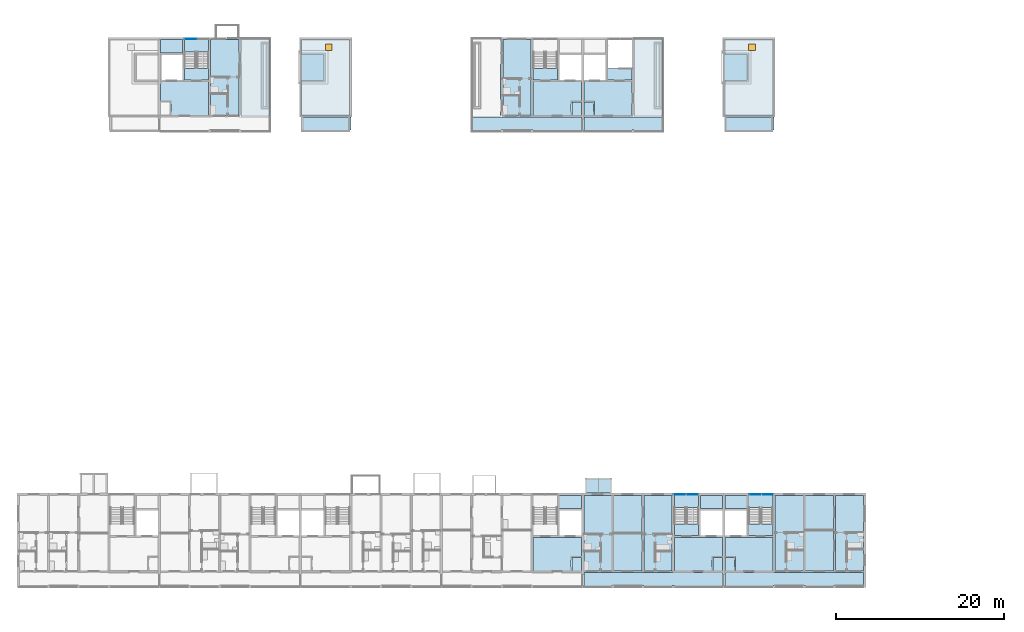
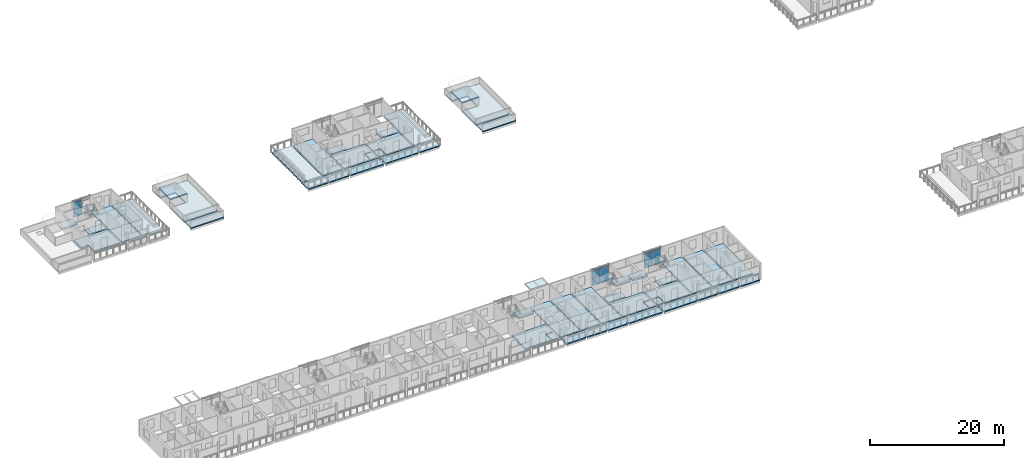
# One storey, part 31 of 87: 45 slabs, 10 plates, 2 doors, 2 openings, 6 elements without a shape of their own.
"""IFC4 building model written with IfcOpenShell, lengths in metres."""

from ifc_helpers import new_model, si_unit, direction, frame, origin, origin_2d, place, context, subcontext, project, spatial, polyline, rectangle, outline, extrude, material, layer, layer_set, type_object, element, fill, aggregate, save


model = new_model("IFC4")

# Units and contexts
model_context = context("Model", 3, precision=1e-05, world=origin(), true_north=direction((0.0, 1.0)))
body_context = subcontext(model_context, "Body", "Model", "MODEL_VIEW")
ifc_project = project(units=[si_unit("LENGTHUNIT", "METRE"), si_unit("AREAUNIT", "SQUARE_METRE"), si_unit("VOLUMEUNIT", "CUBIC_METRE"), si_unit("PLANEANGLEUNIT", "RADIAN"), si_unit("MASSUNIT", "GRAM", prefix="KILO")], contexts=[model_context])

# Site, building, storey
site_placement = place(None, origin())
site = spatial("IfcSite", under=ifc_project, at=site_placement, CompositionType="ELEMENT")
building_placement = place(site_placement, origin())
building = spatial("IfcBuilding", under=site, at=building_placement, Name="Ridgestep Commons", CompositionType="ELEMENT")
storey_placement = place(building_placement, frame((0.0, 0.0, 27.0)))
storey = spatial("IfcBuildingStorey", under=building, at=storey_placement, Name="L09", CompositionType="ELEMENT", Elevation=27.0)

# Slabs
ifc_material_1 = material(Name="Precast concrete C40/50", Category="concrete")
ifc_layer_1 = layer(ifc_material_1, 0.199951171875)
ifc_layer_set_1 = layer_set([ifc_layer_1], Name="Gallery roof slab 200")
slab_type_1 = type_object("IfcSlabType", Name="Gallery roof slab 200", PredefinedType="ROOF", material=ifc_layer_set_1)
slab_1_placement = place(storey_placement, frame((0.0, 0.0, -0.199951171875)))
element("IfcSlab", 1, at=slab_1_placement, inside=storey, type_object=slab_type_1, Name="Gallery slab B3 L09", PredefinedType="ROOF", context=body_context, shape_type="SweptSolid", body=[
    extrude(outline(polyline([(45.75, 66.0), (51.47509765625, 66.0), (51.47509765625, 66.25), (51.60009765625, 66.25), (51.60009765625, 67.800048828125), (45.75, 67.800048828125), (45.75, 66.0)])), origin(), (0.0, 0.0, 1.0), 0.199951171875),
])
slab_2_placement = place(storey_placement, frame((0.0, 0.0, -0.199951171875)))
element("IfcSlab", 2, at=slab_2_placement, inside=storey, type_object=slab_type_1, Name="Gallery slab B6 L09", PredefinedType="ROOF", context=body_context, shape_type="SweptSolid", body=[
    extrude(outline(polyline([(96.14990234375, 66.0), (101.875, 66.0), (101.875, 66.25), (102.0, 66.25), (102.0, 67.800048828125), (96.14990234375, 67.800048828125), (96.14990234375, 66.0)])), origin(), (0.0, 0.0, 1.0), 0.199951171875),
])
ifc_material_2 = material(Name="Precast concrete C40/50", Category="concrete")
ifc_layer_2 = layer(ifc_material_2, 0.199951171875)
ifc_layer_set_2 = layer_set([ifc_layer_2], Name="Gallery slab 200")
slab_type_2 = type_object("IfcSlabType", Name="Gallery slab 200", PredefinedType="FLOOR", material=ifc_layer_set_2)
slab_3_placement = place(storey_placement, frame((0.0, 0.0, -0.199951171875)))
element("IfcSlab", 3, at=slab_3_placement, inside=storey, type_object=slab_type_2, Name="Gallery slab A5 L09", PredefinedType="FLOOR", context=body_context, shape_type="SweptSolid", body=[
    extrude(outline(polyline([(95.85009765625, 13.550048828125), (79.35009765625, 13.550048828125), (79.35009765625, 11.75), (82.675048828125, 11.75), (82.675048828125, 12.0), (82.925048828125, 12.0), (82.925048828125, 11.75), (86.27490234375, 11.75), (86.27490234375, 12.0), (86.52490234375, 12.0), (86.52490234375, 11.75), (89.875, 11.75), (89.875, 12.0), (90.125, 12.0), (90.125, 11.75), (95.85009765625, 11.75), (95.85009765625, 13.550048828125)])), origin(), (0.0, 0.0, 1.0), 0.199951171875),
])
slab_4_placement = place(storey_placement, frame((0.0, 0.0, -0.199951171875)))
element("IfcSlab", 4, at=slab_4_placement, inside=storey, type_object=slab_type_2, Name="Gallery slab A6 L09", PredefinedType="FLOOR", context=body_context, shape_type="SweptSolid", body=[
    extrude(outline(polyline([(112.64990234375, 13.550048828125), (96.14990234375, 13.550048828125), (96.14990234375, 11.75), (101.875, 11.75), (101.875, 12.0), (102.125, 12.0), (102.125, 11.75), (105.47509765625, 11.75), (105.47509765625, 12.0), (105.72509765625, 12.0), (105.72509765625, 11.75), (109.074951171875, 11.75), (109.074951171875, 12.0), (109.324951171875, 12.0), (109.324951171875, 11.75), (112.64990234375, 11.75), (112.64990234375, 13.550048828125)])), origin(), (0.0, 0.0, 1.0), 0.199951171875),
])
slab_5_placement = place(storey_placement, frame((0.0, 0.0, -0.199951171875)))
element("IfcSlab", 5, at=slab_5_placement, inside=storey, type_object=slab_type_2, Name="Gallery slab B4 L09", PredefinedType="FLOOR", context=body_context, shape_type="SweptSolid", body=[
    extrude(outline(polyline([(79.050048828125, 66.0), (79.050048828125, 67.800048828125), (66.0, 67.800048828125), (66.0, 66.25), (66.125, 66.25), (66.125, 66.0), (69.47509765625, 66.0), (69.47509765625, 66.25), (69.72509765625, 66.25), (69.72509765625, 66.0), (73.074951171875, 66.0), (73.074951171875, 66.25), (73.324951171875, 66.25), (73.324951171875, 66.0), (79.050048828125, 66.0)])), origin(), (0.0, 0.0, 1.0), 0.199951171875),
])
slab_6_placement = place(storey_placement, frame((0.0, 0.0, -0.199951171875)))
element("IfcSlab", 6, at=slab_6_placement, inside=storey, type_object=slab_type_2, Name="Gallery slab B5 L09", PredefinedType="FLOOR", context=body_context, shape_type="SweptSolid", body=[
    extrude(outline(polyline([(79.35009765625, 67.800048828125), (79.35009765625, 66.0), (85.074951171875, 66.0), (85.074951171875, 66.25), (85.324951171875, 66.25), (85.324951171875, 66.0), (88.675048828125, 66.0), (88.675048828125, 66.25), (88.800048828125, 66.25), (88.800048828125, 67.800048828125), (79.35009765625, 67.800048828125)])), origin(), (0.0, 0.0, 1.0), 0.199951171875),
])

# Curtain wall, plates
ifc_material_3 = material(Name="Aluminium 6063-T6 and glass", Category="aluminium")
curtain_wall_type = type_object("IfcCurtainWallType", Name="Curtain wall stair strip", PredefinedType="NOTDEFINED", material=ifc_material_3)
curtain_wall_1_placement = place(storey_placement, origin())
curtain_wall_1 = element("IfcCurtainWall", 7, at=curtain_wall_1_placement, inside=storey, type_object=curtain_wall_type, Name="Curtain wall A5C level 09", PredefinedType="NOTDEFINED")
ifc_material_4 = material(Name="Glass laminated 6/16/6 low-emissivity", Category="glass")
ifc_layer_3 = layer(ifc_material_4, 0.028076171875)
ifc_layer_set_3 = layer_set([ifc_layer_3], Name="Glazing panel 28")
plate_type_1 = type_object("IfcPlateType", Name="Glazing panel 28", PredefinedType="CURTAIN_PANEL", material=ifc_layer_set_3)
plate_1_placement = place(storey_placement, frame((90.771240234375, 22.830078125, 0.06005859375), z_axis=(0.0, 0.0, 1.0), x_axis=(1.0, 0.0, 0.0)))
plate_1 = element("IfcPlate", 8, at=plate_1_placement, type_object=plate_type_1, Name="CW1 panel 1.1", PredefinedType="CURTAIN_PANEL", context=body_context, shape_type="SweptSolid", body=[
    extrude(rectangle(XDim=1.422607421875, YDim=0.028076171875, at=origin_2d()), origin(), (0.0, 0.0, 1.0), 2.5),
])
plate_2_placement = place(storey_placement, frame((92.253662109375, 22.830078125, 0.06005859375), z_axis=(0.0, 0.0, 1.0), x_axis=(1.0, 0.0, 0.0)))
plate_2 = element("IfcPlate", 9, at=plate_2_placement, type_object=plate_type_1, Name="CW1 panel 2.1", PredefinedType="CURTAIN_PANEL", context=body_context, shape_type="SweptSolid", body=[
    extrude(rectangle(XDim=1.422607421875, YDim=0.028076171875, at=origin_2d()), origin(), (0.0, 0.0, 1.0), 2.5),
])

curtain_wall_2_placement = place(storey_placement, origin())
curtain_wall_2 = element("IfcCurtainWall", 10, at=curtain_wall_2_placement, inside=storey, type_object=curtain_wall_type, Name="Curtain wall A6C level 09", PredefinedType="NOTDEFINED")
plate_3_placement = place(storey_placement, frame((99.746337890625, 22.830078125, 0.06005859375), z_axis=(0.0, 0.0, 1.0), x_axis=(1.0, 0.0, 0.0)))
plate_3 = element("IfcPlate", 11, at=plate_3_placement, type_object=plate_type_1, Name="CW1 panel 1.1", PredefinedType="CURTAIN_PANEL", context=body_context, shape_type="SweptSolid", body=[
    extrude(rectangle(XDim=1.422607421875, YDim=0.028076171875, at=origin_2d()), origin(), (0.0, 0.0, 1.0), 2.5),
])
plate_4_placement = place(storey_placement, frame((101.228759765625, 22.830078125, 0.06005859375), z_axis=(0.0, 0.0, 1.0), x_axis=(1.0, 0.0, 0.0)))
plate_4 = element("IfcPlate", 12, at=plate_4_placement, type_object=plate_type_1, Name="CW1 panel 2.1", PredefinedType="CURTAIN_PANEL", context=body_context, shape_type="SweptSolid", body=[
    extrude(rectangle(XDim=1.422607421875, YDim=0.028076171875, at=origin_2d()), origin(), (0.0, 0.0, 1.0), 2.5),
])

# Curtain wall, plate
curtain_wall_3_placement = place(storey_placement, origin())
curtain_wall_3 = element("IfcCurtainWall", 13, at=curtain_wall_3_placement, inside=storey, type_object=curtain_wall_type, Name="Curtain wall B2C level 09", PredefinedType="NOTDEFINED")
plate_5_placement = place(storey_placement, frame((32.546142578125, 77.080078125, 0.06005859375), z_axis=(0.0, 0.0, 1.0), x_axis=(1.0, 0.0, 0.0)))
plate_5 = element("IfcPlate", 14, at=plate_5_placement, type_object=plate_type_1, Name="CW1 panel 1.1", PredefinedType="CURTAIN_PANEL", context=body_context, shape_type="SweptSolid", body=[
    extrude(rectangle(XDim=1.422607421875, YDim=0.028076171875, at=origin_2d()), origin(), (0.0, 0.0, 1.0), 2.5),
])

# Slabs
ifc_material_5 = material(Name="Precast concrete C50/60", Category="concrete")
ifc_layer_4 = layer(ifc_material_5, 0.199951171875)
ifc_layer_set_4 = layer_set([ifc_layer_4], Name="Hollow-core plank 200")
slab_type_3 = type_object("IfcSlabType", Name="Hollow-core plank 200", PredefinedType="FLOOR", material=ifc_layer_set_4)
slab_7_placement = place(storey_placement, frame((0.0, 0.0, -0.199951171875)))
element("IfcSlab", 15, at=slab_7_placement, inside=storey, type_object=slab_type_3, Name="Floor plank A5T1 L09", PredefinedType="FLOOR", context=body_context, shape_type="SweptSolid", body=[
    extrude(outline(polyline([(82.699951171875, 13.75), (82.699951171875, 22.75), (79.35009765625, 22.75), (79.35009765625, 13.75), (82.699951171875, 13.75)])), origin(), (0.0, 0.0, 1.0), 0.199951171875),
])
slab_8_placement = place(storey_placement, frame((0.0, 0.0, -0.199951171875)))
element("IfcSlab", 16, at=slab_8_placement, inside=storey, type_object=slab_type_3, Name="Floor plank A5T2 L09", PredefinedType="FLOOR", context=body_context, shape_type="SweptSolid", body=[
    extrude(outline(polyline([(86.300048828125, 13.75), (86.300048828125, 22.75), (82.89990234375, 22.75), (82.89990234375, 13.75), (86.300048828125, 13.75)])), origin(), (0.0, 0.0, 1.0), 0.199951171875),
])
slab_9_placement = place(storey_placement, frame((0.0, 0.0, -0.199951171875)))
element("IfcSlab", 17, at=slab_9_placement, inside=storey, type_object=slab_type_3, Name="Floor plank A5T3 L09", PredefinedType="FLOOR", context=body_context, shape_type="SweptSolid", body=[
    extrude(outline(polyline([(89.875, 13.75), (89.875, 22.75), (86.5, 22.75), (86.5, 13.75), (89.875, 13.75)])), origin(), (0.0, 0.0, 1.0), 0.199951171875),
])
slab_10_placement = place(storey_placement, frame((0.0, 0.0, -0.199951171875)))
element("IfcSlab", 18, at=slab_10_placement, inside=storey, type_object=slab_type_3, Name="Floor plank A6T3 L09", PredefinedType="FLOOR", context=body_context, shape_type="SweptSolid", body=[
    extrude(outline(polyline([(105.5, 13.75), (105.5, 22.75), (102.125, 22.75), (102.125, 13.75), (105.5, 13.75)])), origin(), (0.0, 0.0, 1.0), 0.199951171875),
])
slab_11_placement = place(storey_placement, frame((0.0, 0.0, -0.199951171875)))
element("IfcSlab", 19, at=slab_11_placement, inside=storey, type_object=slab_type_3, Name="Floor plank A6T2 L09", PredefinedType="FLOOR", context=body_context, shape_type="SweptSolid", body=[
    extrude(outline(polyline([(109.10009765625, 13.75), (109.10009765625, 22.75), (105.699951171875, 22.75), (105.699951171875, 13.75), (109.10009765625, 13.75)])), origin(), (0.0, 0.0, 1.0), 0.199951171875),
])
slab_12_placement = place(storey_placement, frame((0.0, 0.0, -0.199951171875)))
element("IfcSlab", 20, at=slab_12_placement, inside=storey, type_object=slab_type_3, Name="Floor plank A6T1 L09", PredefinedType="FLOOR", context=body_context, shape_type="SweptSolid", body=[
    extrude(outline(polyline([(112.64990234375, 13.75), (112.64990234375, 22.75), (109.300048828125, 22.75), (109.300048828125, 13.75), (112.64990234375, 13.75)])), origin(), (0.0, 0.0, 1.0), 0.199951171875),
])
slab_13_placement = place(storey_placement, frame((0.0, 0.0, -0.199951171875)))
element("IfcSlab", 21, at=slab_13_placement, inside=storey, type_object=slab_type_3, Name="Floor plank B2T3 L09", PredefinedType="FLOOR", context=body_context, shape_type="SweptSolid", body=[
    extrude(outline(polyline([(38.300048828125, 68.0), (38.300048828125, 77.0), (34.925048828125, 77.0), (34.925048828125, 68.0), (38.300048828125, 68.0)])), origin(), (0.0, 0.0, 1.0), 0.199951171875),
])
slab_14_placement = place(storey_placement, frame((0.0, 0.0, -0.199951171875)))
element("IfcSlab", 22, at=slab_14_placement, inside=storey, type_object=slab_type_3, Name="Floor plank B4T3 L09", PredefinedType="FLOOR", context=body_context, shape_type="SweptSolid", body=[
    extrude(outline(polyline([(73.074951171875, 68.0), (73.074951171875, 77.0), (69.699951171875, 77.0), (69.699951171875, 68.0), (73.074951171875, 68.0)])), origin(), (0.0, 0.0, 1.0), 0.199951171875),
])
ifc_material_6 = material(Name="Precast concrete C50/60", Category="concrete")
ifc_layer_5 = layer(ifc_material_6, 0.25)
ifc_layer_set_5 = layer_set([ifc_layer_5], Name="Hollow-core plank 250")
slab_type_4 = type_object("IfcSlabType", Name="Hollow-core plank 250", PredefinedType="FLOOR", material=ifc_layer_set_5)
slab_15_placement = place(storey_placement, frame((0.0, 0.0, -0.25)))
element("IfcSlab", 23, at=slab_15_placement, inside=storey, type_object=slab_type_4, Name="Floor plank A4C L09", PredefinedType="FLOOR", context=body_context, shape_type="SweptSolid", body=[
    extrude(outline(polyline([(77.919921875, 15.469970703125), (79.050048828125, 15.469970703125), (79.050048828125, 17.75), (73.324951171875, 17.75), (73.324951171875, 13.75), (77.800048828125, 13.75), (77.800048828125, 15.469970703125), (77.919921875, 15.469970703125)])), origin(), (0.0, 0.0, 1.0), 0.25),
])
slab_16_placement = place(storey_placement, frame((0.0, 0.0, -0.25)))
element("IfcSlab", 24, at=slab_16_placement, inside=storey, type_object=slab_type_4, Name="Floor plank A4C L09", PredefinedType="FLOOR", context=body_context, shape_type="SweptSolid", body=[
    extrude(outline(polyline([(79.050048828125, 21.14990234375), (79.050048828125, 22.75), (76.425048828125, 22.75), (76.425048828125, 21.14990234375), (79.050048828125, 21.14990234375)])), origin(), (0.0, 0.0, 1.0), 0.25),
])
slab_17_placement = place(storey_placement, frame((0.0, 0.0, -0.25)))
element("IfcSlab", 25, at=slab_17_placement, inside=storey, type_object=slab_type_4, Name="Floor plank A4C L09", PredefinedType="FLOOR", context=body_context, shape_type="SweptSolid", body=[
    extrude(outline(polyline([(77.919921875, 13.75), (79.050048828125, 13.75), (79.050048828125, 15.35009765625), (77.919921875, 15.35009765625), (77.919921875, 13.75)])), origin(), (0.0, 0.0, 1.0), 0.25),
])
slab_18_placement = place(storey_placement, frame((0.0, 0.0, -0.25)))
element("IfcSlab", 26, at=slab_18_placement, inside=storey, type_object=slab_type_4, Name="Floor plank A5C L09", PredefinedType="FLOOR", context=body_context, shape_type="SweptSolid", body=[
    extrude(outline(polyline([(94.719970703125, 15.469970703125), (95.85009765625, 15.469970703125), (95.85009765625, 17.75), (90.125, 17.75), (90.125, 13.75), (94.60009765625, 13.75), (94.60009765625, 15.469970703125), (94.719970703125, 15.469970703125)])), origin(), (0.0, 0.0, 1.0), 0.25),
])
slab_19_placement = place(storey_placement, frame((0.0, 0.0, -0.25)))
element("IfcSlab", 27, at=slab_19_placement, inside=storey, type_object=slab_type_4, Name="Floor plank A5C L09", PredefinedType="FLOOR", context=body_context, shape_type="SweptSolid", body=[
    extrude(outline(polyline([(95.85009765625, 21.14990234375), (95.85009765625, 22.75), (93.22509765625, 22.75), (93.22509765625, 21.14990234375), (95.85009765625, 21.14990234375)])), origin(), (0.0, 0.0, 1.0), 0.25),
])
slab_20_placement = place(storey_placement, frame((0.0, 0.0, -0.25)))
element("IfcSlab", 28, at=slab_20_placement, inside=storey, type_object=slab_type_4, Name="Floor plank A5C L09", PredefinedType="FLOOR", context=body_context, shape_type="SweptSolid", body=[
    extrude(outline(polyline([(93.02490234375, 17.949951171875), (93.02490234375, 19.35009765625), (90.125, 19.35009765625), (90.125, 17.949951171875), (93.02490234375, 17.949951171875)])), origin(), (0.0, 0.0, 1.0), 0.25),
])
slab_21_placement = place(storey_placement, frame((0.0, 0.0, -0.25)))
element("IfcSlab", 29, at=slab_21_placement, inside=storey, type_object=slab_type_4, Name="Floor plank A5C L09", PredefinedType="FLOOR", context=body_context, shape_type="SweptSolid", body=[
    extrude(outline(polyline([(94.719970703125, 13.75), (95.85009765625, 13.75), (95.85009765625, 15.35009765625), (94.719970703125, 15.35009765625), (94.719970703125, 13.75)])), origin(), (0.0, 0.0, 1.0), 0.25),
])
slab_22_placement = place(storey_placement, frame((0.0, 0.0, -0.25)))
element("IfcSlab", 30, at=slab_22_placement, inside=storey, type_object=slab_type_4, Name="Floor plank A6C L09", PredefinedType="FLOOR", context=body_context, shape_type="SweptSolid", body=[
    extrude(outline(polyline([(97.39990234375, 13.75), (101.875, 13.75), (101.875, 17.75), (96.14990234375, 17.75), (96.14990234375, 15.469970703125), (97.280029296875, 15.469970703125), (97.39990234375, 15.469970703125), (97.39990234375, 13.75)])), origin(), (0.0, 0.0, 1.0), 0.25),
])
slab_23_placement = place(storey_placement, frame((0.0, 0.0, -0.25)))
element("IfcSlab", 31, at=slab_23_placement, inside=storey, type_object=slab_type_4, Name="Floor plank A6C L09", PredefinedType="FLOOR", context=body_context, shape_type="SweptSolid", body=[
    extrude(outline(polyline([(98.77490234375, 22.75), (96.14990234375, 22.75), (96.14990234375, 21.14990234375), (98.77490234375, 21.14990234375), (98.77490234375, 22.75)])), origin(), (0.0, 0.0, 1.0), 0.25),
])
slab_24_placement = place(storey_placement, frame((0.0, 0.0, -0.25)))
element("IfcSlab", 32, at=slab_24_placement, inside=storey, type_object=slab_type_4, Name="Floor plank A6C L09", PredefinedType="FLOOR", context=body_context, shape_type="SweptSolid", body=[
    extrude(outline(polyline([(101.875, 17.949951171875), (101.875, 19.35009765625), (98.97509765625, 19.35009765625), (98.97509765625, 17.949951171875), (101.875, 17.949951171875)])), origin(), (0.0, 0.0, 1.0), 0.25),
])
slab_25_placement = place(storey_placement, frame((0.0, 0.0, -0.25)))
element("IfcSlab", 33, at=slab_25_placement, inside=storey, type_object=slab_type_4, Name="Floor plank A6C L09", PredefinedType="FLOOR", context=body_context, shape_type="SweptSolid", body=[
    extrude(outline(polyline([(97.280029296875, 15.35009765625), (96.14990234375, 15.35009765625), (96.14990234375, 13.75), (97.280029296875, 13.75), (97.280029296875, 15.35009765625)])), origin(), (0.0, 0.0, 1.0), 0.25),
])
slab_26_placement = place(storey_placement, frame((0.0, 0.0, -0.25)))
element("IfcSlab", 34, at=slab_26_placement, inside=storey, type_object=slab_type_4, Name="Floor plank B2C L09", PredefinedType="FLOOR", context=body_context, shape_type="SweptSolid", body=[
    extrude(outline(polyline([(30.199951171875, 68.0), (34.675048828125, 68.0), (34.675048828125, 72.0), (28.949951171875, 72.0), (28.949951171875, 69.719970703125), (30.080078125, 69.719970703125), (30.199951171875, 69.719970703125), (30.199951171875, 68.0)])), origin(), (0.0, 0.0, 1.0), 0.25),
])
slab_27_placement = place(storey_placement, frame((0.0, 0.0, -0.25)))
element("IfcSlab", 35, at=slab_27_placement, inside=storey, type_object=slab_type_4, Name="Floor plank B2C L09", PredefinedType="FLOOR", context=body_context, shape_type="SweptSolid", body=[
    extrude(outline(polyline([(31.574951171875, 77.0), (28.949951171875, 77.0), (28.949951171875, 75.39990234375), (31.574951171875, 75.39990234375), (31.574951171875, 77.0)])), origin(), (0.0, 0.0, 1.0), 0.25),
])
slab_28_placement = place(storey_placement, frame((0.0, 0.0, -0.25)))
element("IfcSlab", 36, at=slab_28_placement, inside=storey, type_object=slab_type_4, Name="Floor plank B2C L09", PredefinedType="FLOOR", context=body_context, shape_type="SweptSolid", body=[
    extrude(outline(polyline([(34.675048828125, 72.199951171875), (34.675048828125, 73.60009765625), (31.77490234375, 73.60009765625), (31.77490234375, 72.199951171875), (34.675048828125, 72.199951171875)])), origin(), (0.0, 0.0, 1.0), 0.25),
])
slab_29_placement = place(storey_placement, frame((0.0, 0.0, -0.25)))
element("IfcSlab", 37, at=slab_29_placement, inside=storey, type_object=slab_type_4, Name="Floor plank B4C L09", PredefinedType="FLOOR", context=body_context, shape_type="SweptSolid", body=[
    extrude(outline(polyline([(77.919921875, 69.719970703125), (79.050048828125, 69.719970703125), (79.050048828125, 72.0), (73.324951171875, 72.0), (73.324951171875, 68.0), (77.800048828125, 68.0), (77.800048828125, 69.719970703125), (77.919921875, 69.719970703125)])), origin(), (0.0, 0.0, 1.0), 0.25),
])
slab_30_placement = place(storey_placement, frame((0.0, 0.0, -0.25)))
element("IfcSlab", 38, at=slab_30_placement, inside=storey, type_object=slab_type_4, Name="Floor plank B4C L09", PredefinedType="FLOOR", context=body_context, shape_type="SweptSolid", body=[
    extrude(outline(polyline([(76.22509765625, 72.199951171875), (76.22509765625, 73.60009765625), (73.324951171875, 73.60009765625), (73.324951171875, 72.199951171875), (76.22509765625, 72.199951171875)])), origin(), (0.0, 0.0, 1.0), 0.25),
])
slab_31_placement = place(storey_placement, frame((0.0, 0.0, -0.25)))
element("IfcSlab", 39, at=slab_31_placement, inside=storey, type_object=slab_type_4, Name="Floor plank B4C L09", PredefinedType="FLOOR", context=body_context, shape_type="SweptSolid", body=[
    extrude(outline(polyline([(77.919921875, 68.0), (79.050048828125, 68.0), (79.050048828125, 69.60009765625), (77.919921875, 69.60009765625), (77.919921875, 68.0)])), origin(), (0.0, 0.0, 1.0), 0.25),
])
slab_32_placement = place(storey_placement, frame((0.0, 0.0, -0.25)))
element("IfcSlab", 40, at=slab_32_placement, inside=storey, type_object=slab_type_4, Name="Floor plank B5C L09", PredefinedType="FLOOR", context=body_context, shape_type="SweptSolid", body=[
    extrude(outline(polyline([(80.60009765625, 68.0), (85.074951171875, 68.0), (85.074951171875, 72.0), (79.35009765625, 72.0), (79.35009765625, 69.719970703125), (80.47998046875, 69.719970703125), (80.60009765625, 69.719970703125), (80.60009765625, 68.0)])), origin(), (0.0, 0.0, 1.0), 0.25),
])
slab_33_placement = place(storey_placement, frame((0.0, 0.0, -0.25)))
element("IfcSlab", 41, at=slab_33_placement, inside=storey, type_object=slab_type_4, Name="Floor plank B5C L09", PredefinedType="FLOOR", context=body_context, shape_type="SweptSolid", body=[
    extrude(outline(polyline([(85.074951171875, 72.199951171875), (85.074951171875, 73.60009765625), (82.175048828125, 73.60009765625), (82.175048828125, 72.199951171875), (85.074951171875, 72.199951171875)])), origin(), (0.0, 0.0, 1.0), 0.25),
])
slab_34_placement = place(storey_placement, frame((0.0, 0.0, -0.25)))
element("IfcSlab", 42, at=slab_34_placement, inside=storey, type_object=slab_type_4, Name="Floor plank B5C L09", PredefinedType="FLOOR", context=body_context, shape_type="SweptSolid", body=[
    extrude(outline(polyline([(80.47998046875, 69.60009765625), (79.35009765625, 69.60009765625), (79.35009765625, 68.0), (80.47998046875, 68.0), (80.47998046875, 69.60009765625)])), origin(), (0.0, 0.0, 1.0), 0.25),
])
ifc_material_7 = material(Name="Precast concrete C50/60", Category="concrete")
ifc_layer_6 = layer(ifc_material_7, 0.199951171875)
ifc_layer_set_6 = layer_set([ifc_layer_6], Name="Overrun roof 200")
slab_type_5 = type_object("IfcSlabType", Name="Overrun roof 200", PredefinedType="ROOF", material=ifc_layer_set_6)
slab_35_placement = place(storey_placement, frame((0.0, 0.0, 1.5)))
element("IfcSlab", 43, at=slab_35_placement, inside=storey, type_object=slab_type_5, Name="Lift overrun roof B3C", PredefinedType="ROOF", context=body_context, shape_type="SweptSolid", body=[
    extrude(outline(polyline([(48.574951171875, 72.0), (48.574951171875, 75.39990234375), (45.60009765625, 75.39990234375), (45.60009765625, 72.0), (48.574951171875, 72.0)])), origin(), (0.0, 0.0, 1.0), 0.199951171875),
])
slab_36_placement = place(storey_placement, frame((0.0, 0.0, 1.5)))
element("IfcSlab", 44, at=slab_36_placement, inside=storey, type_object=slab_type_5, Name="Lift overrun roof B6C", PredefinedType="ROOF", context=body_context, shape_type="SweptSolid", body=[
    extrude(outline(polyline([(98.97509765625, 72.0), (98.97509765625, 75.39990234375), (96.0, 75.39990234375), (96.0, 72.0), (98.97509765625, 72.0)])), origin(), (0.0, 0.0, 1.0), 0.199951171875),
])
ifc_material_8 = material(Name="Precast concrete C50/60", Category="concrete")
ifc_layer_7 = layer(ifc_material_8, 0.25)
ifc_layer_set_7 = layer_set([ifc_layer_7], Name="Roof slab 250")
slab_type_6 = type_object("IfcSlabType", Name="Roof slab 250", PredefinedType="ROOF", material=ifc_layer_set_7)
slab_37_placement = place(storey_placement, frame((0.0, 0.0, -0.25)))
element("IfcSlab", 45, at=slab_37_placement, inside=storey, type_object=slab_type_6, Name="Terrace slab B2T2", PredefinedType="ROOF", context=body_context, shape_type="SweptSolid", body=[
    extrude(outline(polyline([(41.89990234375, 68.0), (41.89990234375, 77.0), (38.5, 77.0), (38.5, 68.0), (41.89990234375, 68.0)])), origin(), (0.0, 0.0, 1.0), 0.25),
])

# Slab, opening, door
slab_38_placement = place(storey_placement, frame((0.0, 0.0, -0.25)))
slab_38 = element("IfcSlab", 46, at=slab_38_placement, inside=storey, type_object=slab_type_6, Name="Roof slab B3C", PredefinedType="ROOF", context=body_context, shape_type="SweptSolid", body=[
    extrude(outline(polyline([(45.75, 77.0), (45.75, 75.199951171875), (48.375, 75.199951171875), (48.375, 72.199951171875), (45.75, 72.199951171875), (45.75, 68.0), (51.47509765625, 68.0), (51.47509765625, 77.0), (45.75, 77.0)])), origin(), (0.0, 0.0, 1.0), 0.25),
])
opening_1_placement = place(slab_38_placement, frame((48.97509765625, 76.10009765625, 0.0)))
opening_1 = element("IfcOpeningElement", 47, at=opening_1_placement, cuts=slab_38, Name="Opening B3C/RF/1", PredefinedType="OPENING", context=body_context, shape_type="SweptSolid", body=[
    extrude(rectangle(XDim=0.800048828125, YDim=0.800048828125, at=origin_2d()), origin(), (0.0, 0.0, 1.0), 0.25),
])
ifc_material_9 = material(Name="Steel", Category="steel")
door_type = type_object("IfcDoorType", Name="Ladder roof hatch 800 x 800", OperationType="SINGLE_SWING_LEFT", PredefinedType="TRAPDOOR", material=ifc_material_9)
door_1_placement = place(opening_1_placement, frame((0.0, 0.0, 0.199951171875)))
door_1 = element("IfcDoor", 48, at=door_1_placement, inside=storey, type_object=door_type, Name="Roof hatch B3C", OperationType="SINGLE_SWING_LEFT", OverallHeight=0.800048828125, OverallWidth=0.800048828125, PredefinedType="TRAPDOOR", context=body_context, shape_type="SweptSolid", body=[
    extrude(rectangle(XDim=0.800048828125, YDim=0.800048828125, at=origin_2d()), origin(), (0.0, 0.0, 1.0), 0.050048828125),
])
fill(opening_1, door_1)

# Slabs
slab_39_placement = place(storey_placement, frame((0.0, 0.0, -0.25)))
element("IfcSlab", 49, at=slab_39_placement, inside=storey, type_object=slab_type_6, Name="Terrace slab B4T2", PredefinedType="ROOF", context=body_context, shape_type="SweptSolid", body=[
    extrude(outline(polyline([(69.5, 68.0), (69.5, 77.0), (66.10009765625, 77.0), (66.10009765625, 68.0), (69.5, 68.0)])), origin(), (0.0, 0.0, 1.0), 0.25),
])
slab_40_placement = place(storey_placement, frame((0.0, 0.0, -0.25)))
element("IfcSlab", 50, at=slab_40_placement, inside=storey, type_object=slab_type_6, Name="Terrace slab B5T3", PredefinedType="ROOF", context=body_context, shape_type="SweptSolid", body=[
    extrude(outline(polyline([(88.699951171875, 68.0), (88.699951171875, 77.0), (85.324951171875, 77.0), (85.324951171875, 68.0), (88.699951171875, 68.0)])), origin(), (0.0, 0.0, 1.0), 0.25),
])

# Slab, opening, door
slab_41_placement = place(storey_placement, frame((0.0, 0.0, -0.25)))
slab_41 = element("IfcSlab", 51, at=slab_41_placement, inside=storey, type_object=slab_type_6, Name="Roof slab B6C", PredefinedType="ROOF", context=body_context, shape_type="SweptSolid", body=[
    extrude(outline(polyline([(96.14990234375, 77.0), (96.14990234375, 75.199951171875), (98.77490234375, 75.199951171875), (98.77490234375, 72.199951171875), (96.14990234375, 72.199951171875), (96.14990234375, 68.0), (101.875, 68.0), (101.875, 77.0), (96.14990234375, 77.0)])), origin(), (0.0, 0.0, 1.0), 0.25),
])
opening_2_placement = place(slab_41_placement, frame((99.375, 76.10009765625, 0.0)))
opening_2 = element("IfcOpeningElement", 52, at=opening_2_placement, cuts=slab_41, Name="Opening B6C/RF/1", PredefinedType="OPENING", context=body_context, shape_type="SweptSolid", body=[
    extrude(rectangle(XDim=0.800048828125, YDim=0.800048828125, at=origin_2d()), origin(), (0.0, 0.0, 1.0), 0.25),
])
door_2_placement = place(opening_2_placement, frame((0.0, 0.0, 0.199951171875)))
door_2 = element("IfcDoor", 53, at=door_2_placement, inside=storey, type_object=door_type, Name="Roof hatch B6C", OperationType="SINGLE_SWING_LEFT", OverallHeight=0.800048828125, OverallWidth=0.800048828125, PredefinedType="TRAPDOOR", context=body_context, shape_type="SweptSolid", body=[
    extrude(rectangle(XDim=0.800048828125, YDim=0.800048828125, at=origin_2d()), origin(), (0.0, 0.0, 1.0), 0.050048828125),
])
fill(opening_2, door_2)

# Plate
ifc_material_10 = material(Name="Aluminium 6063-T6 and mineral wool", Category="aluminium")
ifc_layer_8 = layer(ifc_material_10, 0.0400390625)
ifc_layer_set_8 = layer_set([ifc_layer_8], Name="Spandrel panel 40")
plate_type_2 = type_object("IfcPlateType", Name="Spandrel panel 40", PredefinedType="CURTAIN_PANEL", material=ifc_layer_set_8)
plate_6_placement = place(storey_placement, frame((90.771240234375, 22.830078125, 2.6201171875), z_axis=(0.0, 0.0, 1.0), x_axis=(1.0, 0.0, 0.0)))
plate_6 = element("IfcPlate", 54, at=plate_6_placement, type_object=plate_type_2, Name="CW1 panel 1.2", PredefinedType="CURTAIN_PANEL", context=body_context, shape_type="SweptSolid", body=[
    extrude(rectangle(XDim=1.422607421875, YDim=0.0400390625, at=origin_2d()), origin(), (0.0, 0.0, 1.0), 0.320068359375),
])

plate_7_placement = place(storey_placement, frame((92.253662109375, 22.830078125, 2.6201171875), z_axis=(0.0, 0.0, 1.0), x_axis=(1.0, 0.0, 0.0)))
plate_7 = element("IfcPlate", 55, at=plate_7_placement, type_object=plate_type_2, Name="CW1 panel 2.2", PredefinedType="CURTAIN_PANEL", context=body_context, shape_type="SweptSolid", body=[
    extrude(rectangle(XDim=1.422607421875, YDim=0.0400390625, at=origin_2d()), origin(), (0.0, 0.0, 1.0), 0.320068359375),
])

aggregate(curtain_wall_1, [plate_1, plate_6, plate_2, plate_7])

plate_8_placement = place(storey_placement, frame((99.746337890625, 22.830078125, 2.6201171875), z_axis=(0.0, 0.0, 1.0), x_axis=(1.0, 0.0, 0.0)))
plate_8 = element("IfcPlate", 56, at=plate_8_placement, type_object=plate_type_2, Name="CW1 panel 1.2", PredefinedType="CURTAIN_PANEL", context=body_context, shape_type="SweptSolid", body=[
    extrude(rectangle(XDim=1.422607421875, YDim=0.0400390625, at=origin_2d()), origin(), (0.0, 0.0, 1.0), 0.320068359375),
])

plate_9_placement = place(storey_placement, frame((101.228759765625, 22.830078125, 2.6201171875), z_axis=(0.0, 0.0, 1.0), x_axis=(1.0, 0.0, 0.0)))
plate_9 = element("IfcPlate", 57, at=plate_9_placement, type_object=plate_type_2, Name="CW1 panel 2.2", PredefinedType="CURTAIN_PANEL", context=body_context, shape_type="SweptSolid", body=[
    extrude(rectangle(XDim=1.422607421875, YDim=0.0400390625, at=origin_2d()), origin(), (0.0, 0.0, 1.0), 0.320068359375),
])

aggregate(curtain_wall_2, [plate_3, plate_8, plate_4, plate_9])

plate_10_placement = place(storey_placement, frame((32.546142578125, 77.080078125, 2.6201171875), z_axis=(0.0, 0.0, 1.0), x_axis=(1.0, 0.0, 0.0)))
plate_10 = element("IfcPlate", 58, at=plate_10_placement, type_object=plate_type_2, Name="CW1 panel 1.2", PredefinedType="CURTAIN_PANEL", context=body_context, shape_type="SweptSolid", body=[
    extrude(rectangle(XDim=1.422607421875, YDim=0.0400390625, at=origin_2d()), origin(), (0.0, 0.0, 1.0), 0.320068359375),
])

aggregate(curtain_wall_3, [plate_5, plate_10])

# Stair, slab
ifc_material_11 = material(Name="Precast concrete C40/50", Category="concrete")
stair_type = type_object("IfcStairType", Name="Escape stair 1400", PredefinedType="HALF_TURN_STAIR", material=ifc_material_11)
stair_1_placement = place(storey_placement, origin())
stair_1 = element("IfcStair", 59, at=stair_1_placement, inside=storey, type_object=stair_type, Name="L09 Escape stair A5C", PredefinedType="HALF_TURN_STAIR")
ifc_material_12 = material(Name="Precast concrete C40/50", Category="concrete")
ifc_layer_9 = layer(ifc_material_12, 0.199951171875)
ifc_layer_set_9 = layer_set([ifc_layer_9], Name="Stair landing 200")
slab_type_7 = type_object("IfcSlabType", Name="Stair landing 200", PredefinedType="LANDING", material=ifc_layer_set_9)
slab_42_placement = place(storey_placement, frame((0.0, 0.0, 1.300048828125)))
slab_42 = element("IfcSlab", 60, at=slab_42_placement, type_object=slab_type_7, Name="A5C landing 1", PredefinedType="LANDING", context=body_context, shape_type="SweptSolid", body=[
    extrude(outline(polyline([(93.02490234375, 21.31005859375), (93.02490234375, 22.75), (90.125, 22.75), (90.125, 21.31005859375), (93.02490234375, 21.31005859375)])), origin(), (0.0, 0.0, 1.0), 0.199951171875),
])
aggregate(stair_1, [slab_42])

stair_2_placement = place(storey_placement, origin())
stair_2 = element("IfcStair", 61, at=stair_2_placement, inside=storey, type_object=stair_type, Name="L09 Escape stair A6C", PredefinedType="HALF_TURN_STAIR")
slab_43_placement = place(storey_placement, frame((0.0, 0.0, 1.300048828125)))
slab_43 = element("IfcSlab", 62, at=slab_43_placement, type_object=slab_type_7, Name="A6C landing 1", PredefinedType="LANDING", context=body_context, shape_type="SweptSolid", body=[
    extrude(outline(polyline([(101.875, 21.31005859375), (101.875, 22.75), (98.97509765625, 22.75), (98.97509765625, 21.31005859375), (101.875, 21.31005859375)])), origin(), (0.0, 0.0, 1.0), 0.199951171875),
])
aggregate(stair_2, [slab_43])

stair_3_placement = place(storey_placement, origin())
stair_3 = element("IfcStair", 63, at=stair_3_placement, inside=storey, type_object=stair_type, Name="L09 Escape stair B2C", PredefinedType="HALF_TURN_STAIR")
slab_44_placement = place(storey_placement, frame((0.0, 0.0, 1.300048828125)))
slab_44 = element("IfcSlab", 64, at=slab_44_placement, type_object=slab_type_7, Name="B2C landing 1", PredefinedType="LANDING", context=body_context, shape_type="SweptSolid", body=[
    extrude(outline(polyline([(34.675048828125, 75.56005859375), (34.675048828125, 77.0), (31.77490234375, 77.0), (31.77490234375, 75.56005859375), (34.675048828125, 75.56005859375)])), origin(), (0.0, 0.0, 1.0), 0.199951171875),
])
aggregate(stair_3, [slab_44])

# Slab
ifc_material_13 = material(Name="Weathering steel S355J2W", Category="steel")
ifc_layer_10 = layer(ifc_material_13, 0.010009765625)
ifc_layer_set_10 = layer_set([ifc_layer_10], Name="Tray 3.2 x 1.8")
slab_type_8 = type_object("IfcSlabType", Name="Tray 3.2 x 1.8", PredefinedType="FLOOR", material=ifc_layer_set_10)
slab_45_placement = place(storey_placement, frame((0.0, 0.0, 2.989990234375)))
element("IfcSlab", 65, at=slab_45_placement, inside=storey, type_object=slab_type_8, Name="Tray deck A5T1-10", PredefinedType="FLOOR", context=body_context, shape_type="SweptSolid", body=[
    extrude(outline(polyline([(79.530029296875, 23.0), (82.669921875, 23.0), (82.669921875, 24.800048828125), (79.530029296875, 24.800048828125), (79.530029296875, 23.0)])), origin(), (0.0, 0.0, 1.0), 0.010009765625),
])

save(model, "model.ifc")
